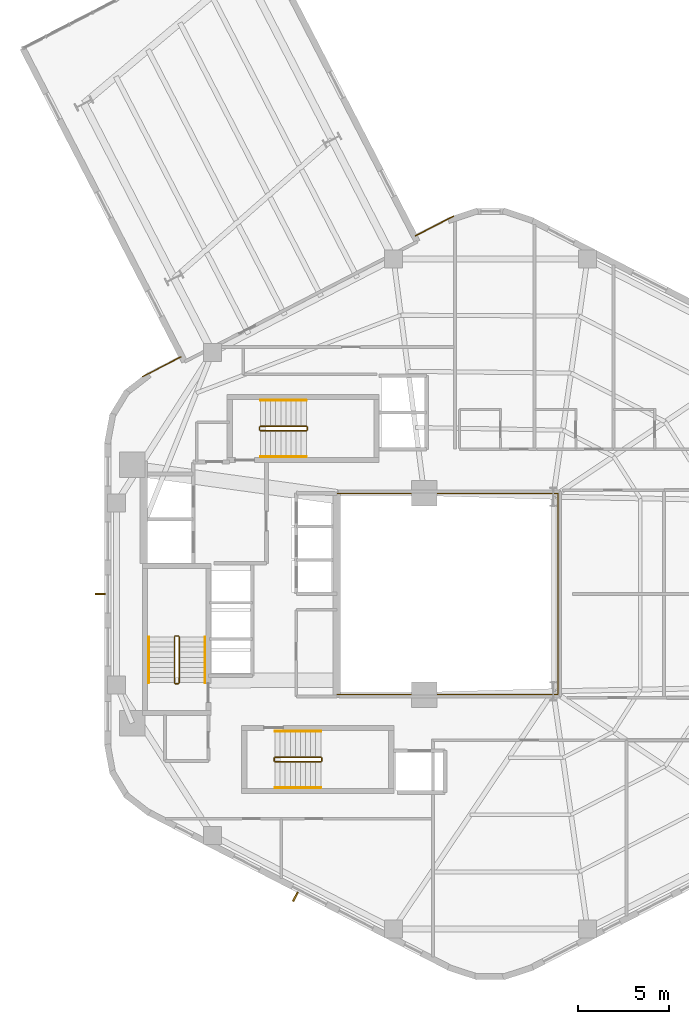
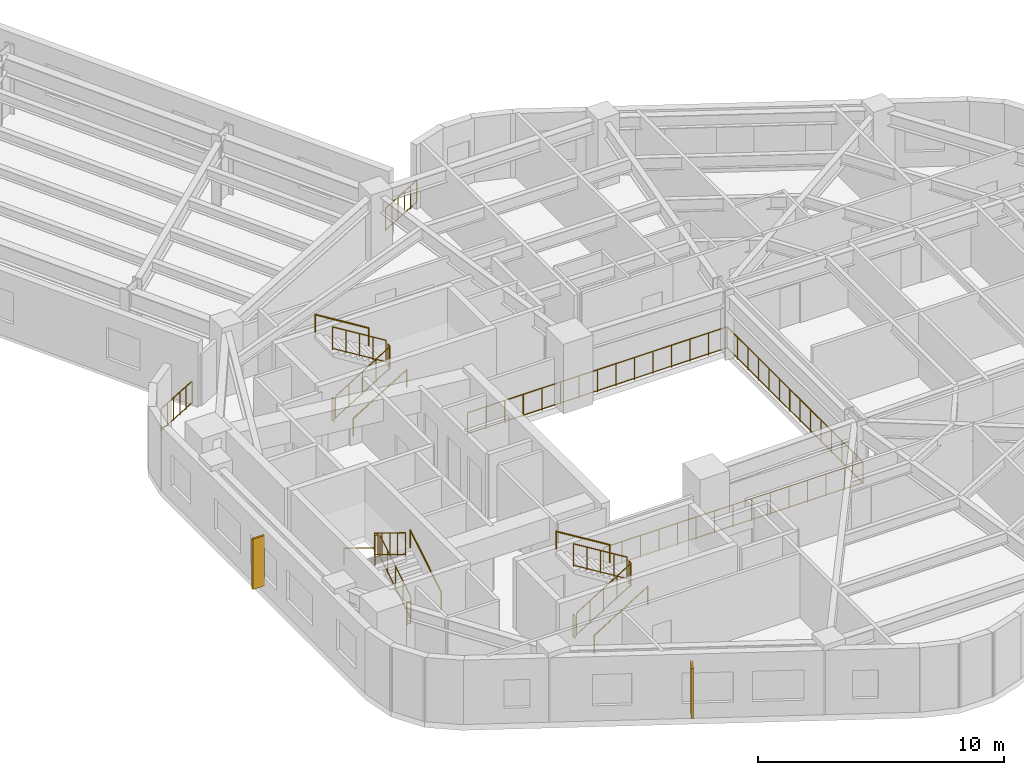
# One storey, part 11 of 11: 21 railings, 2 shading devices.
"""IFC4 building model written with IfcOpenShell, lengths in metres."""

from ifc_helpers import new_model, si_unit, direction, frame, origin, origin_2d, place, context, subcontext, project, spatial, rectangle, circle, extrude, material, type_object, element, save


model = new_model("IFC4")

# Units and contexts
model_context = context("Model", 3, precision=1e-05, world=origin(), true_north=direction((0.0, 1.0)))
body_context = subcontext(model_context, "Body", "Model", "MODEL_VIEW")
ifc_project = project(units=[si_unit("LENGTHUNIT", "METRE"), si_unit("AREAUNIT", "SQUARE_METRE"), si_unit("VOLUMEUNIT", "CUBIC_METRE"), si_unit("PLANEANGLEUNIT", "RADIAN"), si_unit("MASSUNIT", "GRAM", prefix="KILO"), si_unit("THERMODYNAMICTEMPERATUREUNIT", "KELVIN"), si_unit("POWERUNIT", "WATT")], contexts=[model_context])

# Site, building, storey
site_placement = place(None, origin())
site = spatial("IfcSite", under=ifc_project, at=site_placement, CompositionType="ELEMENT")
building_placement = place(site_placement, origin())
building = spatial("IfcBuilding", under=site, at=building_placement, Name="Skarre Station Tower", CompositionType="ELEMENT")
storey_placement = place(building_placement, frame((0.0, 0.0, 146.39990234375)))
storey = spatial("IfcBuildingStorey", under=building, at=storey_placement, Name="L39", CompositionType="ELEMENT", Elevation=146.39990234375)

# Railings
ifc_material_1 = material(Name="Bronze Anodized Steel & Laminated Glass Balustrade", Category="steel")
railing_type_1 = type_object("IfcRailingType", Name="Atrium Void & Mezzanine Guard Balustrade 1120", PredefinedType="GUARDRAIL", material=ifc_material_1)
railing_1_placement = place(storey_placement, frame((27.550048828125, 18.47998046875, 0.0)))
element("IfcRailing", 1, at=railing_1_placement, inside=storey, type_object=railing_type_1, Name="L39 Atrium Void Guard Balustrade", PredefinedType="GUARDRAIL", context=body_context, shape_type="SweptSolid", body=[
    extrude(circle(Radius=0.02392578125, at=origin_2d()), frame((0.0, 0.0, 1.09619140625), z_axis=(1.0, 0.0, 0.0), x_axis=(0.0, 1.0, 0.0)), (0.0, 0.0, 1.0), 12.169921875),
    extrude(circle(Radius=0.02099609375, at=origin_2d()), frame((0.0, 0.0, 0.06005859375), z_axis=(1.0, 0.0, 0.0), x_axis=(0.0, 1.0, 0.0)), (0.0, 0.0, 1.0), 12.169921875),
    extrude(circle(Radius=0.02392578125, at=origin_2d()), frame((12.169921875, 0.0, 1.09619140625), z_axis=(0.0, 1.0, 0.0), x_axis=(-1.0, 0.0, 0.0)), (0.0, 0.0, 1.0), 11.0400390625),
    extrude(circle(Radius=0.02099609375, at=origin_2d()), frame((12.169921875, 0.0, 0.06005859375), z_axis=(0.0, 1.0, 0.0), x_axis=(-1.0, 0.0, 0.0)), (0.0, 0.0, 1.0), 11.0400390625),
    extrude(circle(Radius=0.02392578125, at=origin_2d()), frame((12.169921875, 11.0400390625, 1.09619140625), z_axis=(-1.0, 0.0, 0.0), x_axis=(0.0, -1.0, 0.0)), (0.0, 0.0, 1.0), 12.169921875),
    extrude(circle(Radius=0.02099609375, at=origin_2d()), frame((12.169921875, 11.0400390625, 0.06005859375), z_axis=(-1.0, 0.0, 0.0), x_axis=(0.0, -1.0, 0.0)), (0.0, 0.0, 1.0), 12.169921875),
    extrude(circle(Radius=0.02099609375, at=origin_2d()), origin(), (0.0, 0.0, 1.0), 1.072021484375),
    extrude(circle(Radius=0.02099609375, at=origin_2d()), frame((0.869384765625, 0.0, 0.0)), (0.0, 0.0, 1.0), 1.072021484375),
    extrude(circle(Radius=0.02099609375, at=origin_2d()), frame((1.738525390625, 0.0, 0.0)), (0.0, 0.0, 1.0), 1.072021484375),
    extrude(circle(Radius=0.02099609375, at=origin_2d()), frame((2.60791015625, 0.0, 0.0)), (0.0, 0.0, 1.0), 1.072021484375),
    extrude(circle(Radius=0.02099609375, at=origin_2d()), frame((3.47705078125, 0.0, 0.0)), (0.0, 0.0, 1.0), 1.072021484375),
    extrude(circle(Radius=0.02099609375, at=origin_2d()), frame((4.346435546875, 0.0, 0.0)), (0.0, 0.0, 1.0), 1.072021484375),
    extrude(circle(Radius=0.02099609375, at=origin_2d()), frame((5.215576171875, 0.0, 0.0)), (0.0, 0.0, 1.0), 1.072021484375),
    extrude(circle(Radius=0.02099609375, at=origin_2d()), frame((6.0849609375, 0.0, 0.0)), (0.0, 0.0, 1.0), 1.072021484375),
    extrude(circle(Radius=0.02099609375, at=origin_2d()), frame((6.954345703125, 0.0, 0.0)), (0.0, 0.0, 1.0), 1.072021484375),
    extrude(circle(Radius=0.02099609375, at=origin_2d()), frame((7.823486328125, 0.0, 0.0)), (0.0, 0.0, 1.0), 1.072021484375),
    extrude(circle(Radius=0.02099609375, at=origin_2d()), frame((8.69287109375, 0.0, 0.0)), (0.0, 0.0, 1.0), 1.072021484375),
    extrude(circle(Radius=0.02099609375, at=origin_2d()), frame((9.56201171875, 0.0, 0.0)), (0.0, 0.0, 1.0), 1.072021484375),
    extrude(circle(Radius=0.02099609375, at=origin_2d()), frame((10.431396484375, 0.0, 0.0)), (0.0, 0.0, 1.0), 1.072021484375),
    extrude(circle(Radius=0.02099609375, at=origin_2d()), frame((11.300537109375, 0.0, 0.0)), (0.0, 0.0, 1.0), 1.072021484375),
    extrude(circle(Radius=0.02099609375, at=origin_2d()), frame((12.169921875, 0.0, 0.0)), (0.0, 0.0, 1.0), 1.072021484375),
    extrude(circle(Radius=0.02099609375, at=origin_2d()), frame((12.169921875, 0.84912109375, 0.0)), (0.0, 0.0, 1.0), 1.072021484375),
    extrude(circle(Radius=0.02099609375, at=origin_2d()), frame((12.169921875, 1.698486328125, 0.0)), (0.0, 0.0, 1.0), 1.072021484375),
    extrude(circle(Radius=0.02099609375, at=origin_2d()), frame((12.169921875, 2.547607421875, 0.0)), (0.0, 0.0, 1.0), 1.072021484375),
    extrude(circle(Radius=0.02099609375, at=origin_2d()), frame((12.169921875, 3.39697265625, 0.0)), (0.0, 0.0, 1.0), 1.072021484375),
    extrude(circle(Radius=0.02099609375, at=origin_2d()), frame((12.169921875, 4.24609375, 0.0)), (0.0, 0.0, 1.0), 1.072021484375),
    extrude(circle(Radius=0.02099609375, at=origin_2d()), frame((12.169921875, 5.095458984375, 0.0)), (0.0, 0.0, 1.0), 1.072021484375),
    extrude(circle(Radius=0.02099609375, at=origin_2d()), frame((12.169921875, 5.944580078125, 0.0)), (0.0, 0.0, 1.0), 1.072021484375),
    extrude(circle(Radius=0.02099609375, at=origin_2d()), frame((12.169921875, 6.7939453125, 0.0)), (0.0, 0.0, 1.0), 1.072021484375),
    extrude(circle(Radius=0.02099609375, at=origin_2d()), frame((12.169921875, 7.64306640625, 0.0)), (0.0, 0.0, 1.0), 1.072021484375),
    extrude(circle(Radius=0.02099609375, at=origin_2d()), frame((12.169921875, 8.492431640625, 0.0)), (0.0, 0.0, 1.0), 1.072021484375),
    extrude(circle(Radius=0.02099609375, at=origin_2d()), frame((12.169921875, 9.341552734375, 0.0)), (0.0, 0.0, 1.0), 1.072021484375),
    extrude(circle(Radius=0.02099609375, at=origin_2d()), frame((12.169921875, 10.19091796875, 0.0)), (0.0, 0.0, 1.0), 1.072021484375),
    extrude(circle(Radius=0.02099609375, at=origin_2d()), frame((12.169921875, 11.0400390625, 0.0)), (0.0, 0.0, 1.0), 1.072021484375),
    extrude(circle(Radius=0.02099609375, at=origin_2d()), frame((11.300537109375, 11.0400390625, 0.0)), (0.0, 0.0, 1.0), 1.072021484375),
    extrude(circle(Radius=0.02099609375, at=origin_2d()), frame((10.431396484375, 11.0400390625, 0.0)), (0.0, 0.0, 1.0), 1.072021484375),
    extrude(circle(Radius=0.02099609375, at=origin_2d()), frame((9.56201171875, 11.0400390625, 0.0)), (0.0, 0.0, 1.0), 1.072021484375),
    extrude(circle(Radius=0.02099609375, at=origin_2d()), frame((8.69287109375, 11.0400390625, 0.0)), (0.0, 0.0, 1.0), 1.072021484375),
    extrude(circle(Radius=0.02099609375, at=origin_2d()), frame((7.823486328125, 11.0400390625, 0.0)), (0.0, 0.0, 1.0), 1.072021484375),
    extrude(circle(Radius=0.02099609375, at=origin_2d()), frame((6.954345703125, 11.0400390625, 0.0)), (0.0, 0.0, 1.0), 1.072021484375),
    extrude(circle(Radius=0.02099609375, at=origin_2d()), frame((6.0849609375, 11.0400390625, 0.0)), (0.0, 0.0, 1.0), 1.072021484375),
    extrude(circle(Radius=0.02099609375, at=origin_2d()), frame((5.215576171875, 11.0400390625, 0.0)), (0.0, 0.0, 1.0), 1.072021484375),
    extrude(circle(Radius=0.02099609375, at=origin_2d()), frame((4.346435546875, 11.0400390625, 0.0)), (0.0, 0.0, 1.0), 1.072021484375),
    extrude(circle(Radius=0.02099609375, at=origin_2d()), frame((3.47705078125, 11.0400390625, 0.0)), (0.0, 0.0, 1.0), 1.072021484375),
    extrude(circle(Radius=0.02099609375, at=origin_2d()), frame((2.60791015625, 11.0400390625, 0.0)), (0.0, 0.0, 1.0), 1.072021484375),
    extrude(circle(Radius=0.02099609375, at=origin_2d()), frame((1.738525390625, 11.0400390625, 0.0)), (0.0, 0.0, 1.0), 1.072021484375),
    extrude(circle(Radius=0.02099609375, at=origin_2d()), frame((0.869384765625, 11.0400390625, 0.0)), (0.0, 0.0, 1.0), 1.072021484375),
    extrude(circle(Radius=0.02099609375, at=origin_2d()), frame((0.0, 11.0400390625, 0.0)), (0.0, 0.0, 1.0), 1.072021484375),
])
ifc_material_2 = material(Name="Stainless Steel Grade 316L & Laminated Safety Glass", Category="steel")
railing_type_2 = type_object("IfcRailingType", Name="Laminated Glass & Stainless Terrace Guardrail 1150", PredefinedType="BALUSTRADE", material=ifc_material_2)
railing_2_placement = place(storey_placement, frame((16.87890625, 35.952880859375, 0.0)))
element("IfcRailing", 2, at=railing_2_placement, inside=storey, type_object=railing_type_2, Name="L39 SB-3 Shoulder Ledge Guardrail 1", PredefinedType="BALUSTRADE", context=body_context, shape_type="SweptSolid", body=[
    extrude(circle(Radius=0.02392578125, at=origin_2d()), frame((0.0, 0.0, 1.1259765625), z_axis=(0.888522104904, 0.458833814248, 0.0), x_axis=(-0.458833814248, 0.888522104904, 0.0)), (0.0, 0.0, 1.0), 2.345458984375),
    extrude(circle(Radius=0.02099609375, at=origin_2d()), frame((0.0, 0.0, 0.06005859375), z_axis=(0.888522104904, 0.458833814248, 0.0), x_axis=(-0.458833814248, 0.888522104904, 0.0)), (0.0, 0.0, 1.0), 2.345458984375),
    extrude(circle(Radius=0.02099609375, at=origin_2d()), origin(), (0.0, 0.0, 1.0), 1.101806640625),
    extrude(circle(Radius=0.02099609375, at=origin_2d()), frame((0.416748046875, 0.21533203125, 0.0)), (0.0, 0.0, 1.0), 1.101806640625),
    extrude(circle(Radius=0.02099609375, at=origin_2d()), frame((0.83349609375, 0.430419921875, 0.0)), (0.0, 0.0, 1.0), 1.101806640625),
    extrude(circle(Radius=0.02099609375, at=origin_2d()), frame((1.25048828125, 0.645751953125, 0.0)), (0.0, 0.0, 1.0), 1.101806640625),
    extrude(circle(Radius=0.02099609375, at=origin_2d()), frame((1.667236328125, 0.86083984375, 0.0)), (0.0, 0.0, 1.0), 1.101806640625),
    extrude(circle(Radius=0.02099609375, at=origin_2d()), frame((2.083984375, 1.076171875, 0.0)), (0.0, 0.0, 1.0), 1.101806640625),
])
railing_3_placement = place(storey_placement, frame((31.883056640625, 43.697021484375, 0.0)))
element("IfcRailing", 3, at=railing_3_placement, inside=storey, type_object=railing_type_2, Name="L39 SB-3 Shoulder Ledge Guardrail 2", PredefinedType="BALUSTRADE", context=body_context, shape_type="SweptSolid", body=[
    extrude(circle(Radius=0.02392578125, at=origin_2d()), frame((0.0, 0.0, 1.1259765625), z_axis=(0.888564539427, 0.458751631356, 0.0), x_axis=(-0.458751631356, 0.888564539427, 0.0)), (0.0, 0.0, 1.0), 2.345458984375),
    extrude(circle(Radius=0.02099609375, at=origin_2d()), frame((0.0, 0.0, 0.06005859375), z_axis=(0.888564539427, 0.458751631356, 0.0), x_axis=(-0.458751631356, 0.888564539427, 0.0)), (0.0, 0.0, 1.0), 2.345458984375),
    extrude(circle(Radius=0.02099609375, at=origin_2d()), origin(), (0.0, 0.0, 1.0), 1.101806640625),
    extrude(circle(Radius=0.02099609375, at=origin_2d()), frame((0.416748046875, 0.215087890625, 0.0)), (0.0, 0.0, 1.0), 1.101806640625),
    extrude(circle(Radius=0.02099609375, at=origin_2d()), frame((0.83349609375, 0.430419921875, 0.0)), (0.0, 0.0, 1.0), 1.101806640625),
    extrude(circle(Radius=0.02099609375, at=origin_2d()), frame((1.25048828125, 0.6455078125, 0.0)), (0.0, 0.0, 1.0), 1.101806640625),
    extrude(circle(Radius=0.02099609375, at=origin_2d()), frame((1.667236328125, 0.86083984375, 0.0)), (0.0, 0.0, 1.0), 1.101806640625),
    extrude(circle(Radius=0.02099609375, at=origin_2d()), frame((2.083984375, 1.075927734375, 0.0)), (0.0, 0.0, 1.0), 1.101806640625),
])

# Shading devices
ifc_material_3 = material(Name="Bronze Anodized Extruded Aluminium 6063-T6", Category="aluminium")
shading_device_type = type_object("IfcShadingDeviceType", Name="Nordic Bronze Vertical Solar Fin 550x90", PredefinedType="SHUTTER", material=ifc_material_3)
for number, where, z_axis, x_axis, name in (
    (4, (14.531982421875, 24.0, 0.35009765625), (0.0, 0.0, 1.0), (-1.0, 0.0, 0.0), "L39 Facet 2 Bronze Solar Fin"),
    (5, (25.27587890625, 7.35302734375, 0.35009765625), (0.0, 0.0, 1.0), (-0.458649554484, -0.888617232655, 0.0), "L39 Facet 3 Bronze Solar Fin"),
):
    element("IfcShadingDevice", number, at=place(storey_placement, frame(where, z_axis=z_axis, x_axis=x_axis)), inside=storey, type_object=shading_device_type, Name=name, PredefinedType="SHUTTER", context=body_context, shape_type="SweptSolid", body=[
        extrude(rectangle(XDim=0.550048828125, YDim=0.090087890625, at=origin_2d()), origin(), (0.0, 0.0, 1.0), 2.5),
    ])

# Railings
ifc_material_4 = material(Name="Powder-Coated Tubular Steel", Category="steel")
railing_type_3 = type_object("IfcRailingType", Name="Painted Steel Ramp & Stair Handrail 920", PredefinedType="HANDRAIL", material=ifc_material_4)
railing_4_placement = place(storey_placement, frame((20.300048828125, 19.1201171875, 0.172607421875)))
element("IfcRailing", 6, at=railing_4_placement, inside=storey, type_object=railing_type_3, Name="L39 ST-1 stair handrail 1", PredefinedType="HANDRAIL", context=body_context, shape_type="SweptSolid", body=[
    extrude(circle(Radius=0.02392578125, at=origin_2d()), frame((0.0, 0.0, 0.8759765625), z_axis=(0.0, 0.851377800117, 0.52455299205), x_axis=(-1.0, 0.0, 0.0)), (0.0, 0.0, 1.0), 2.959716796875),
    extrude(circle(Radius=0.02099609375, at=origin_2d()), origin(), (0.0, 0.0, 1.0), 0.851806640625),
    extrude(circle(Radius=0.02099609375, at=origin_2d()), frame((0.0, 2.519775390625, 1.552490234375)), (0.0, 0.0, 1.0), 0.851806640625),
])
railing_5_placement = place(storey_placement, frame((17.199951171875, 21.639892578125, 1.897705078125)))
element("IfcRailing", 7, at=railing_5_placement, inside=storey, type_object=railing_type_3, Name="L39 ST-1 stair handrail 2", PredefinedType="HANDRAIL", context=body_context, shape_type="SweptSolid", body=[
    extrude(circle(Radius=0.02392578125, at=origin_2d()), frame((0.0, 0.0, 0.8759765625), z_axis=(0.0, -0.851377800117, 0.52455299205), x_axis=(1.0, 0.0, 0.0)), (0.0, 0.0, 1.0), 2.959716796875),
    extrude(circle(Radius=0.02099609375, at=origin_2d()), origin(), (0.0, 0.0, 1.0), 0.851806640625),
    extrude(circle(Radius=0.02099609375, at=origin_2d()), frame((0.0, -2.519775390625, 1.552490234375)), (0.0, 0.0, 1.0), 0.851806640625),
])
railing_6_placement = place(storey_placement, frame((24.14990234375, 13.35009765625, 0.172607421875)))
element("IfcRailing", 8, at=railing_6_placement, inside=storey, type_object=railing_type_3, Name="L39 ST-2 stair handrail 1", PredefinedType="HANDRAIL", context=body_context, shape_type="SweptSolid", body=[
    extrude(circle(Radius=0.02392578125, at=origin_2d()), frame((0.0, 0.0, 0.8759765625), z_axis=(0.851400495292, 0.0, 0.524516154772), x_axis=(0.0, 1.0, 0.0)), (0.0, 0.0, 1.0), 2.9599609375),
    extrude(circle(Radius=0.02099609375, at=origin_2d()), origin(), (0.0, 0.0, 1.0), 0.851806640625),
    extrude(circle(Radius=0.02099609375, at=origin_2d()), frame((2.52001953125, 0.0, 1.552490234375)), (0.0, 0.0, 1.0), 0.851806640625),
])
railing_7_placement = place(storey_placement, frame((26.669921875, 16.449951171875, 1.897705078125)))
element("IfcRailing", 9, at=railing_7_placement, inside=storey, type_object=railing_type_3, Name="L39 ST-2 stair handrail 2", PredefinedType="HANDRAIL", context=body_context, shape_type="SweptSolid", body=[
    extrude(circle(Radius=0.02392578125, at=origin_2d()), frame((0.0, 0.0, 0.8759765625), z_axis=(-0.851400495292, 0.0, 0.524516154772), x_axis=(0.0, -1.0, 0.0)), (0.0, 0.0, 1.0), 2.9599609375),
    extrude(circle(Radius=0.02099609375, at=origin_2d()), origin(), (0.0, 0.0, 1.0), 0.851806640625),
    extrude(circle(Radius=0.02099609375, at=origin_2d()), frame((-2.52001953125, 0.0, 1.552490234375)), (0.0, 0.0, 1.0), 0.851806640625),
])
railing_8_placement = place(storey_placement, frame((23.35009765625, 31.550048828125, 0.172607421875)))
element("IfcRailing", 10, at=railing_8_placement, inside=storey, type_object=railing_type_3, Name="L39 ST-3 stair handrail 1", PredefinedType="HANDRAIL", context=body_context, shape_type="SweptSolid", body=[
    extrude(circle(Radius=0.02392578125, at=origin_2d()), frame((0.0, 0.0, 0.8759765625), z_axis=(0.851400495292, 0.0, 0.524516154772), x_axis=(0.0, 1.0, 0.0)), (0.0, 0.0, 1.0), 2.9599609375),
    extrude(circle(Radius=0.02099609375, at=origin_2d()), origin(), (0.0, 0.0, 1.0), 0.851806640625),
    extrude(circle(Radius=0.02099609375, at=origin_2d()), frame((2.52001953125, 0.0, 1.552490234375)), (0.0, 0.0, 1.0), 0.851806640625),
])
railing_9_placement = place(storey_placement, frame((25.8701171875, 34.64990234375, 1.897705078125)))
element("IfcRailing", 11, at=railing_9_placement, inside=storey, type_object=railing_type_3, Name="L39 ST-3 stair handrail 2", PredefinedType="HANDRAIL", context=body_context, shape_type="SweptSolid", body=[
    extrude(circle(Radius=0.02392578125, at=origin_2d()), frame((0.0, 0.0, 0.8759765625), z_axis=(-0.851400495292, 0.0, 0.524516154772), x_axis=(0.0, -1.0, 0.0)), (0.0, 0.0, 1.0), 2.9599609375),
    extrude(circle(Radius=0.02099609375, at=origin_2d()), origin(), (0.0, 0.0, 1.0), 0.851806640625),
    extrude(circle(Radius=0.02099609375, at=origin_2d()), frame((-2.52001953125, 0.0, 1.552490234375)), (0.0, 0.0, 1.0), 0.851806640625),
])
railing_type_4 = type_object("IfcRailingType", Name="Painted Steel Stairwell Guardrail 1100", PredefinedType="GUARDRAIL", material=ifc_material_4)
railing_10_placement = place(storey_placement, frame((18.8798828125, 19.1201171875, 0.172607421875)))
element("IfcRailing", 12, at=railing_10_placement, inside=storey, type_object=railing_type_4, Name="L39 ST-1 stair guard 1", PredefinedType="GUARDRAIL", context=body_context, shape_type="SweptSolid", body=[
    extrude(circle(Radius=0.02392578125, at=origin_2d()), frame((0.0, 0.0, 1.1259765625), z_axis=(0.0, 0.851377800117, 0.52455299205), x_axis=(-1.0, 0.0, 0.0)), (0.0, 0.0, 1.0), 2.959716796875),
    extrude(circle(Radius=0.02099609375, at=origin_2d()), frame((0.0, 0.0, 0.06005859375), z_axis=(0.0, 0.851377800117, 0.52455299205), x_axis=(-1.0, 0.0, 0.0)), (0.0, 0.0, 1.0), 2.959716796875),
    extrude(circle(Radius=0.02099609375, at=origin_2d()), origin(), (0.0, 0.0, 1.0), 1.101806640625),
    extrude(circle(Radius=0.02099609375, at=origin_2d()), frame((0.0, 0.6298828125, 0.38818359375)), (0.0, 0.0, 1.0), 1.101806640625),
    extrude(circle(Radius=0.02099609375, at=origin_2d()), frame((0.0, 1.259765625, 0.7763671875)), (0.0, 0.0, 1.0), 1.101806640625),
    extrude(circle(Radius=0.02099609375, at=origin_2d()), frame((0.0, 1.889892578125, 1.164306640625)), (0.0, 0.0, 1.0), 1.101806640625),
    extrude(circle(Radius=0.02099609375, at=origin_2d()), frame((0.0, 2.519775390625, 1.552490234375)), (0.0, 0.0, 1.0), 1.101806640625),
])
railing_11_placement = place(storey_placement, frame((18.830078125, 21.68994140625, 1.72509765625)))
element("IfcRailing", 13, at=railing_11_placement, inside=storey, type_object=railing_type_4, Name="L39 ST-1 stair guard 2", PredefinedType="GUARDRAIL", context=body_context, shape_type="SweptSolid", body=[
    extrude(circle(Radius=0.02392578125, at=origin_2d()), frame((0.0, 0.0, 1.1259765625), z_axis=(-1.0, 0.0, 0.0), x_axis=(0.0, -1.0, 0.0)), (0.0, 0.0, 1.0), 0.16015625),
    extrude(circle(Radius=0.02099609375, at=origin_2d()), frame((0.0, 0.0, 0.06005859375), z_axis=(-1.0, 0.0, 0.0), x_axis=(0.0, -1.0, 0.0)), (0.0, 0.0, 1.0), 0.16015625),
    extrude(circle(Radius=0.02099609375, at=origin_2d()), origin(), (0.0, 0.0, 1.0), 1.101806640625),
    extrude(circle(Radius=0.02099609375, at=origin_2d()), frame((-0.16015625, 0.0, 0.0)), (0.0, 0.0, 1.0), 1.101806640625),
])
railing_12_placement = place(storey_placement, frame((18.6201171875, 21.639892578125, 1.897705078125)))
element("IfcRailing", 14, at=railing_12_placement, inside=storey, type_object=railing_type_4, Name="L39 ST-1 stair guard 3", PredefinedType="GUARDRAIL", context=body_context, shape_type="SweptSolid", body=[
    extrude(circle(Radius=0.02392578125, at=origin_2d()), frame((0.0, 0.0, 1.1259765625), z_axis=(0.0, -0.851377800117, 0.52455299205), x_axis=(1.0, 0.0, 0.0)), (0.0, 0.0, 1.0), 2.959716796875),
    extrude(circle(Radius=0.02099609375, at=origin_2d()), frame((0.0, 0.0, 0.06005859375), z_axis=(0.0, -0.851377800117, 0.52455299205), x_axis=(1.0, 0.0, 0.0)), (0.0, 0.0, 1.0), 2.959716796875),
    extrude(circle(Radius=0.02099609375, at=origin_2d()), origin(), (0.0, 0.0, 1.0), 1.101806640625),
    extrude(circle(Radius=0.02099609375, at=origin_2d()), frame((0.0, -0.6298828125, 0.38818359375)), (0.0, 0.0, 1.0), 1.101806640625),
    extrude(circle(Radius=0.02099609375, at=origin_2d()), frame((0.0, -1.259765625, 0.7763671875)), (0.0, 0.0, 1.0), 1.101806640625),
    extrude(circle(Radius=0.02099609375, at=origin_2d()), frame((0.0, -1.889892578125, 1.164306640625)), (0.0, 0.0, 1.0), 1.101806640625),
    extrude(circle(Radius=0.02099609375, at=origin_2d()), frame((0.0, -2.519775390625, 1.552490234375)), (0.0, 0.0, 1.0), 1.101806640625),
])
railing_13_placement = place(storey_placement, frame((18.830078125, 19.070068359375, 0.0)))
element("IfcRailing", 15, at=railing_13_placement, inside=storey, type_object=railing_type_4, Name="L39 ST-1 stair guard 4", PredefinedType="GUARDRAIL", context=body_context, shape_type="SweptSolid", body=[
    extrude(circle(Radius=0.02392578125, at=origin_2d()), frame((0.0, 0.0, 1.1259765625), z_axis=(-1.0, 0.0, 0.0), x_axis=(0.0, -1.0, 0.0)), (0.0, 0.0, 1.0), 0.16015625),
    extrude(circle(Radius=0.02099609375, at=origin_2d()), frame((0.0, 0.0, 0.06005859375), z_axis=(-1.0, 0.0, 0.0), x_axis=(0.0, -1.0, 0.0)), (0.0, 0.0, 1.0), 0.16015625),
    extrude(circle(Radius=0.02099609375, at=origin_2d()), origin(), (0.0, 0.0, 1.0), 1.101806640625),
    extrude(circle(Radius=0.02099609375, at=origin_2d()), frame((-0.16015625, 0.0, 0.0)), (0.0, 0.0, 1.0), 1.101806640625),
])
railing_14_placement = place(storey_placement, frame((24.14990234375, 14.77001953125, 0.172607421875)))
element("IfcRailing", 16, at=railing_14_placement, inside=storey, type_object=railing_type_4, Name="L39 ST-2 stair guard 1", PredefinedType="GUARDRAIL", context=body_context, shape_type="SweptSolid", body=[
    extrude(circle(Radius=0.02392578125, at=origin_2d()), frame((0.0, 0.0, 1.1259765625), z_axis=(0.851400495292, 0.0, 0.524516154772), x_axis=(0.0, 1.0, 0.0)), (0.0, 0.0, 1.0), 2.9599609375),
    extrude(circle(Radius=0.02099609375, at=origin_2d()), frame((0.0, 0.0, 0.06005859375), z_axis=(0.851400495292, 0.0, 0.524516154772), x_axis=(0.0, 1.0, 0.0)), (0.0, 0.0, 1.0), 2.9599609375),
    extrude(circle(Radius=0.02099609375, at=origin_2d()), origin(), (0.0, 0.0, 1.0), 1.101806640625),
    extrude(circle(Radius=0.02099609375, at=origin_2d()), frame((0.6298828125, 0.0, 0.38818359375)), (0.0, 0.0, 1.0), 1.101806640625),
    extrude(circle(Radius=0.02099609375, at=origin_2d()), frame((1.260009765625, 0.0, 0.7763671875)), (0.0, 0.0, 1.0), 1.101806640625),
    extrude(circle(Radius=0.02099609375, at=origin_2d()), frame((1.89013671875, 0.0, 1.164306640625)), (0.0, 0.0, 1.0), 1.101806640625),
    extrude(circle(Radius=0.02099609375, at=origin_2d()), frame((2.52001953125, 0.0, 1.552490234375)), (0.0, 0.0, 1.0), 1.101806640625),
])
railing_15_placement = place(storey_placement, frame((26.719970703125, 14.820068359375, 1.72509765625)))
element("IfcRailing", 17, at=railing_15_placement, inside=storey, type_object=railing_type_4, Name="L39 ST-2 stair guard 2", PredefinedType="GUARDRAIL", context=body_context, shape_type="SweptSolid", body=[
    extrude(circle(Radius=0.02392578125, at=origin_2d()), frame((0.0, 0.0, 1.1259765625), z_axis=(0.0, 1.0, 0.0), x_axis=(-1.0, 0.0, 0.0)), (0.0, 0.0, 1.0), 0.159912109375),
    extrude(circle(Radius=0.02099609375, at=origin_2d()), frame((0.0, 0.0, 0.06005859375), z_axis=(0.0, 1.0, 0.0), x_axis=(-1.0, 0.0, 0.0)), (0.0, 0.0, 1.0), 0.159912109375),
    extrude(circle(Radius=0.02099609375, at=origin_2d()), origin(), (0.0, 0.0, 1.0), 1.101806640625),
    extrude(circle(Radius=0.02099609375, at=origin_2d()), frame((0.0, 0.159912109375, 0.0)), (0.0, 0.0, 1.0), 1.101806640625),
])
railing_16_placement = place(storey_placement, frame((26.669921875, 15.030029296875, 1.897705078125)))
element("IfcRailing", 18, at=railing_16_placement, inside=storey, type_object=railing_type_4, Name="L39 ST-2 stair guard 3", PredefinedType="GUARDRAIL", context=body_context, shape_type="SweptSolid", body=[
    extrude(circle(Radius=0.02392578125, at=origin_2d()), frame((0.0, 0.0, 1.1259765625), z_axis=(-0.851400495292, 0.0, 0.524516154772), x_axis=(0.0, -1.0, 0.0)), (0.0, 0.0, 1.0), 2.9599609375),
    extrude(circle(Radius=0.02099609375, at=origin_2d()), frame((0.0, 0.0, 0.06005859375), z_axis=(-0.851400495292, 0.0, 0.524516154772), x_axis=(0.0, -1.0, 0.0)), (0.0, 0.0, 1.0), 2.9599609375),
    extrude(circle(Radius=0.02099609375, at=origin_2d()), origin(), (0.0, 0.0, 1.0), 1.101806640625),
    extrude(circle(Radius=0.02099609375, at=origin_2d()), frame((-0.6298828125, 0.0, 0.38818359375)), (0.0, 0.0, 1.0), 1.101806640625),
    extrude(circle(Radius=0.02099609375, at=origin_2d()), frame((-1.260009765625, 0.0, 0.7763671875)), (0.0, 0.0, 1.0), 1.101806640625),
    extrude(circle(Radius=0.02099609375, at=origin_2d()), frame((-1.89013671875, 0.0, 1.164306640625)), (0.0, 0.0, 1.0), 1.101806640625),
    extrude(circle(Radius=0.02099609375, at=origin_2d()), frame((-2.52001953125, 0.0, 1.552490234375)), (0.0, 0.0, 1.0), 1.101806640625),
])
railing_17_placement = place(storey_placement, frame((24.10009765625, 14.820068359375, 0.0)))
element("IfcRailing", 19, at=railing_17_placement, inside=storey, type_object=railing_type_4, Name="L39 ST-2 stair guard 4", PredefinedType="GUARDRAIL", context=body_context, shape_type="SweptSolid", body=[
    extrude(circle(Radius=0.02392578125, at=origin_2d()), frame((0.0, 0.0, 1.1259765625), z_axis=(0.0, 1.0, 0.0), x_axis=(-1.0, 0.0, 0.0)), (0.0, 0.0, 1.0), 0.159912109375),
    extrude(circle(Radius=0.02099609375, at=origin_2d()), frame((0.0, 0.0, 0.06005859375), z_axis=(0.0, 1.0, 0.0), x_axis=(-1.0, 0.0, 0.0)), (0.0, 0.0, 1.0), 0.159912109375),
    extrude(circle(Radius=0.02099609375, at=origin_2d()), origin(), (0.0, 0.0, 1.0), 1.101806640625),
    extrude(circle(Radius=0.02099609375, at=origin_2d()), frame((0.0, 0.159912109375, 0.0)), (0.0, 0.0, 1.0), 1.101806640625),
])
railing_18_placement = place(storey_placement, frame((23.35009765625, 32.969970703125, 0.172607421875)))
element("IfcRailing", 20, at=railing_18_placement, inside=storey, type_object=railing_type_4, Name="L39 ST-3 stair guard 1", PredefinedType="GUARDRAIL", context=body_context, shape_type="SweptSolid", body=[
    extrude(circle(Radius=0.02392578125, at=origin_2d()), frame((0.0, 0.0, 1.1259765625), z_axis=(0.851400495292, 0.0, 0.524516154772), x_axis=(0.0, 1.0, 0.0)), (0.0, 0.0, 1.0), 2.9599609375),
    extrude(circle(Radius=0.02099609375, at=origin_2d()), frame((0.0, 0.0, 0.06005859375), z_axis=(0.851400495292, 0.0, 0.524516154772), x_axis=(0.0, 1.0, 0.0)), (0.0, 0.0, 1.0), 2.9599609375),
    extrude(circle(Radius=0.02099609375, at=origin_2d()), origin(), (0.0, 0.0, 1.0), 1.101806640625),
    extrude(circle(Radius=0.02099609375, at=origin_2d()), frame((0.6298828125, 0.0, 0.38818359375)), (0.0, 0.0, 1.0), 1.101806640625),
    extrude(circle(Radius=0.02099609375, at=origin_2d()), frame((1.260009765625, 0.0, 0.7763671875)), (0.0, 0.0, 1.0), 1.101806640625),
    extrude(circle(Radius=0.02099609375, at=origin_2d()), frame((1.89013671875, 0.0, 1.164306640625)), (0.0, 0.0, 1.0), 1.101806640625),
    extrude(circle(Radius=0.02099609375, at=origin_2d()), frame((2.52001953125, 0.0, 1.552490234375)), (0.0, 0.0, 1.0), 1.101806640625),
])
railing_19_placement = place(storey_placement, frame((25.919921875, 33.02001953125, 1.72509765625)))
element("IfcRailing", 21, at=railing_19_placement, inside=storey, type_object=railing_type_4, Name="L39 ST-3 stair guard 2", PredefinedType="GUARDRAIL", context=body_context, shape_type="SweptSolid", body=[
    extrude(circle(Radius=0.02392578125, at=origin_2d()), frame((0.0, 0.0, 1.1259765625), z_axis=(0.0, 1.0, 0.0), x_axis=(-1.0, 0.0, 0.0)), (0.0, 0.0, 1.0), 0.159912109375),
    extrude(circle(Radius=0.02099609375, at=origin_2d()), frame((0.0, 0.0, 0.06005859375), z_axis=(0.0, 1.0, 0.0), x_axis=(-1.0, 0.0, 0.0)), (0.0, 0.0, 1.0), 0.159912109375),
    extrude(circle(Radius=0.02099609375, at=origin_2d()), origin(), (0.0, 0.0, 1.0), 1.101806640625),
    extrude(circle(Radius=0.02099609375, at=origin_2d()), frame((0.0, 0.159912109375, 0.0)), (0.0, 0.0, 1.0), 1.101806640625),
])
railing_20_placement = place(storey_placement, frame((25.8701171875, 33.22998046875, 1.897705078125)))
element("IfcRailing", 22, at=railing_20_placement, inside=storey, type_object=railing_type_4, Name="L39 ST-3 stair guard 3", PredefinedType="GUARDRAIL", context=body_context, shape_type="SweptSolid", body=[
    extrude(circle(Radius=0.02392578125, at=origin_2d()), frame((0.0, 0.0, 1.1259765625), z_axis=(-0.851400495292, 0.0, 0.524516154772), x_axis=(0.0, -1.0, 0.0)), (0.0, 0.0, 1.0), 2.9599609375),
    extrude(circle(Radius=0.02099609375, at=origin_2d()), frame((0.0, 0.0, 0.06005859375), z_axis=(-0.851400495292, 0.0, 0.524516154772), x_axis=(0.0, -1.0, 0.0)), (0.0, 0.0, 1.0), 2.9599609375),
    extrude(circle(Radius=0.02099609375, at=origin_2d()), origin(), (0.0, 0.0, 1.0), 1.101806640625),
    extrude(circle(Radius=0.02099609375, at=origin_2d()), frame((-0.6298828125, 0.0, 0.38818359375)), (0.0, 0.0, 1.0), 1.101806640625),
    extrude(circle(Radius=0.02099609375, at=origin_2d()), frame((-1.260009765625, 0.0, 0.7763671875)), (0.0, 0.0, 1.0), 1.101806640625),
    extrude(circle(Radius=0.02099609375, at=origin_2d()), frame((-1.89013671875, 0.0, 1.164306640625)), (0.0, 0.0, 1.0), 1.101806640625),
    extrude(circle(Radius=0.02099609375, at=origin_2d()), frame((-2.52001953125, 0.0, 1.552490234375)), (0.0, 0.0, 1.0), 1.101806640625),
])
railing_21_placement = place(storey_placement, frame((23.300048828125, 33.02001953125, 0.0)))
element("IfcRailing", 23, at=railing_21_placement, inside=storey, type_object=railing_type_4, Name="L39 ST-3 stair guard 4", PredefinedType="GUARDRAIL", context=body_context, shape_type="SweptSolid", body=[
    extrude(circle(Radius=0.02392578125, at=origin_2d()), frame((0.0, 0.0, 1.1259765625), z_axis=(0.0, 1.0, 0.0), x_axis=(-1.0, 0.0, 0.0)), (0.0, 0.0, 1.0), 0.159912109375),
    extrude(circle(Radius=0.02099609375, at=origin_2d()), frame((0.0, 0.0, 0.06005859375), z_axis=(0.0, 1.0, 0.0), x_axis=(-1.0, 0.0, 0.0)), (0.0, 0.0, 1.0), 0.159912109375),
    extrude(circle(Radius=0.02099609375, at=origin_2d()), origin(), (0.0, 0.0, 1.0), 1.101806640625),
    extrude(circle(Radius=0.02099609375, at=origin_2d()), frame((0.0, 0.159912109375, 0.0)), (0.0, 0.0, 1.0), 1.101806640625),
])

save(model, "model.ifc")
